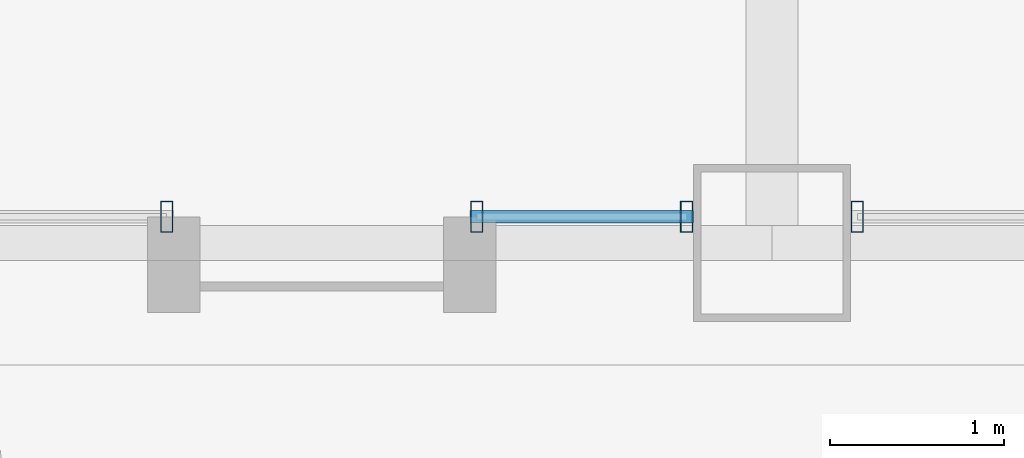
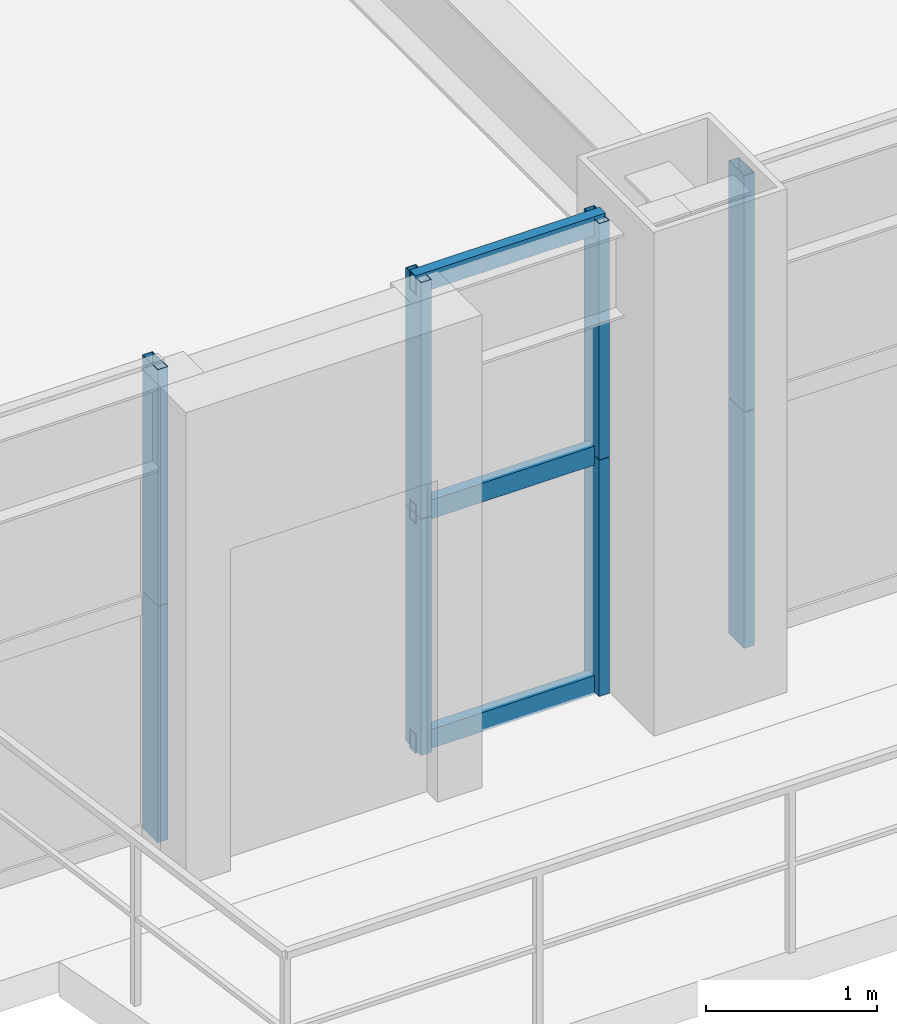
# One storey, part 9 of 43: 11 members, 3 elements without a shape of their own.
"""IFC4 building model written with IfcOpenShell, lengths in metres."""

from ifc_helpers import new_model, si_unit, direction, frame, origin, origin_2d, place, context, subcontext, project, spatial, hollow_rectangle, extrude, source, transform, mapped, material, layer, layer_set, material_profile, profile_set, type_object, element, aggregate, save


model = new_model("IFC4")

# Units and contexts
model_context = context("Model", 3, precision=1e-05, world=origin(), true_north=direction((0.0, 1.0)))
body_context = subcontext(model_context, "Body", "Model", "MODEL_VIEW")
ifc_project = project(units=[si_unit("LENGTHUNIT", "METRE"), si_unit("AREAUNIT", "SQUARE_METRE"), si_unit("VOLUMEUNIT", "CUBIC_METRE"), si_unit("PLANEANGLEUNIT", "RADIAN"), si_unit("MASSUNIT", "GRAM", prefix="KILO"), si_unit("THERMODYNAMICTEMPERATUREUNIT", "KELVIN"), si_unit("POWERUNIT", "WATT")], contexts=[model_context])

# Site, building, storey
site_placement = place(None, origin())
site = spatial("IfcSite", under=ifc_project, at=site_placement, CompositionType="ELEMENT")
building_placement = place(site_placement, origin())
building = spatial("IfcBuilding", under=site, at=building_placement, Name="Yuzanri Waterfront Tower", CompositionType="ELEMENT")
storey_placement = place(building_placement, frame((0.0, 0.0, 138.0)))
storey = spatial("IfcBuildingStorey", under=building, at=storey_placement, Name="L36", CompositionType="ELEMENT", Elevation=138.0)

# Curtain wall, members
ifc_material_1 = material(Name="Anodized Architectural Bronze", Category="metal")
ifc_layer = layer(ifc_material_1, 0.159912109375)
ifc_layer_set = layer_set([ifc_layer], Name="Anodized Architectural Bronze")
curtain_wall_type = type_object("IfcCurtainWallType", Name="Anodized Bronze Hotel Upper-Tier Solar-Control Unitized Curtain Wall 7800", PredefinedType="NOTDEFINED", material=ifc_layer_set)
curtain_wall_1_placement = place(storey_placement, origin())
curtain_wall_1 = element("IfcCurtainWall", 1, at=curtain_wall_1_placement, inside=storey, type_object=curtain_wall_type, Name="L36 Curtain Wall CW-L36-SL1", PredefinedType="NOTDEFINED")
ifc_material_2 = material(Name="Anodized Architectural Bronze", Category="metal")
ifc_material_profile_1 = material_profile(ifc_material_2, hollow_rectangle(XDim=0.070068359375, YDim=0.179931640625, WallThickness=0.00390625, at=origin_2d()), Name="CWM 70x180")
ifc_profile_set_1 = profile_set([ifc_material_profile_1], Name="Anodized Architectural Bronze")
member_type_1 = type_object("IfcMemberType", Name="Anodized Bronze Standard Curtain-Wall Mullion 70x180", PredefinedType="MULLION", material=ifc_profile_set_1)
shared_shape_1 = source(origin(), body_context, "Body", "SweptSolid", [
    extrude(hollow_rectangle(XDim=0.070068359375, YDim=0.179931640625, WallThickness=0.00390625, at=origin_2d()), origin(), (0.0, 0.0, 1.0), 1.68798828125),
])
member_1_placement = place(storey_placement, frame((33.52587890625, 2.35009765625, 0.0), z_axis=(0.0, 0.0, 1.0), x_axis=(1.0, 0.0, 0.0)))
member_1 = element("IfcMember", 2, at=member_1_placement, type_object=member_type_1, Name="CW-L36-SL1 Lower Mullion 02", PredefinedType="MULLION", context=body_context, shape_type="MappedRepresentation", body=[
    mapped(shared_shape_1, transform((0.0, 0.0, 0.0), scale=1.0)),
])
member_2_placement = place(storey_placement, frame((33.52587890625, 2.35009765625, 1.69189453125), z_axis=(0.0, 0.0, 1.0), x_axis=(1.0, 0.0, 0.0)))
member_2 = element("IfcMember", 3, at=member_2_placement, type_object=member_type_1, Name="CW-L36-SL1 Upper Mullion 02", PredefinedType="MULLION", context=body_context, shape_type="MappedRepresentation", body=[
    mapped(shared_shape_1, transform((0.0, 0.0, 0.0), scale=1.0)),
])
aggregate(curtain_wall_1, [member_1, member_2])

curtain_wall_2_placement = place(storey_placement, origin())
curtain_wall_2 = element("IfcCurtainWall", 4, at=curtain_wall_2_placement, inside=storey, type_object=curtain_wall_type, Name="L36 Curtain Wall CW-L36-SL2", PredefinedType="NOTDEFINED")
member_3_placement = place(storey_placement, frame((35.305908203125, 2.35009765625, 0.0), z_axis=(0.0, 0.0, 1.0), x_axis=(1.0, 0.0, 0.0)))
member_3 = element("IfcMember", 5, at=member_3_placement, type_object=member_type_1, Name="CW-L36-SL2 Lower Mullion 00", PredefinedType="MULLION", context=body_context, shape_type="MappedRepresentation", body=[
    mapped(shared_shape_1, transform((0.0, 0.0, 0.0), scale=1.0)),
])
member_4_placement = place(storey_placement, frame((35.305908203125, 2.35009765625, 1.69189453125), z_axis=(0.0, 0.0, 1.0), x_axis=(1.0, 0.0, 0.0)))
member_4 = element("IfcMember", 6, at=member_4_placement, type_object=member_type_1, Name="CW-L36-SL2 Upper Mullion 00", PredefinedType="MULLION", context=body_context, shape_type="MappedRepresentation", body=[
    mapped(shared_shape_1, transform((0.0, 0.0, 0.0), scale=1.0)),
])
member_5_placement = place(storey_placement, frame((36.510009765625, 2.35009765625, 0.0), z_axis=(0.0, 0.0, 1.0), x_axis=(1.0, 0.0, 0.0)))
member_5 = element("IfcMember", 7, at=member_5_placement, type_object=member_type_1, Name="CW-L36-SL2 Lower Mullion 01", PredefinedType="MULLION", context=body_context, shape_type="MappedRepresentation", body=[
    mapped(shared_shape_1, transform((0.0, 0.0, 0.0), scale=1.0)),
])
member_6_placement = place(storey_placement, frame((36.510009765625, 2.35009765625, 1.69189453125), z_axis=(0.0, 0.0, 1.0), x_axis=(1.0, 0.0, 0.0)))
member_6 = element("IfcMember", 8, at=member_6_placement, type_object=member_type_1, Name="CW-L36-SL2 Upper Mullion 01", PredefinedType="MULLION", context=body_context, shape_type="MappedRepresentation", body=[
    mapped(shared_shape_1, transform((0.0, 0.0, 0.0), scale=1.0)),
])

curtain_wall_3_placement = place(storey_placement, origin())
curtain_wall_3 = element("IfcCurtainWall", 9, at=curtain_wall_3_placement, inside=storey, type_object=curtain_wall_type, Name="L36 Curtain Wall CW-L36-SR", PredefinedType="NOTDEFINED")
member_7_placement = place(storey_placement, frame((37.489990234375, 2.35009765625, 0.0), z_axis=(0.0, 0.0, 1.0), x_axis=(1.0, 0.0, 0.0)))
member_7 = element("IfcMember", 10, at=member_7_placement, type_object=member_type_1, Name="CW-L36-SR Lower Mullion 00", PredefinedType="MULLION", context=body_context, shape_type="MappedRepresentation", body=[
    mapped(shared_shape_1, transform((0.0, 0.0, 0.0), scale=1.0)),
])
member_8_placement = place(storey_placement, frame((37.489990234375, 2.35009765625, 1.69189453125), z_axis=(0.0, 0.0, 1.0), x_axis=(1.0, 0.0, 0.0)))
member_8 = element("IfcMember", 11, at=member_8_placement, type_object=member_type_1, Name="CW-L36-SR Upper Mullion 00", PredefinedType="MULLION", context=body_context, shape_type="MappedRepresentation", body=[
    mapped(shared_shape_1, transform((0.0, 0.0, 0.0), scale=1.0)),
])
aggregate(curtain_wall_3, [member_7, member_8])

# Member
ifc_material_3 = material(Name="Anodized Architectural Bronze", Category="metal")
ifc_material_profile_2 = material_profile(ifc_material_3, hollow_rectangle(XDim=0.070068359375, YDim=0.135009765625, WallThickness=0.00341796875, at=origin_2d()), Name="CWT 70x135")
ifc_profile_set_2 = profile_set([ifc_material_profile_2], Name="Anodized Architectural Bronze")
member_type_2 = type_object("IfcMemberType", Name="Anodized Bronze Standard Curtain-Wall Transom 70x135", PredefinedType="USERDEFINED", material=ifc_profile_set_2)
shared_shape_2 = source(origin(), body_context, "Body", "SweptSolid", [
    extrude(hollow_rectangle(XDim=0.070068359375, YDim=0.135009765625, WallThickness=0.00341796875, at=origin_2d()), origin(), (0.0, 0.0, 1.0), 1.283935546875),
])
member_9_placement = place(storey_placement, frame((35.26611328125, 2.35009765625, 0.050048828125), z_axis=(1.0, 0.0, 0.0), x_axis=(0.0, 1.0, 0.0)))
member_9 = element("IfcMember", 12, at=member_9_placement, type_object=member_type_2, Name="CW-L36-SL2 Transom 1", ObjectType="TRANSOM", PredefinedType="USERDEFINED", context=body_context, shape_type="MappedRepresentation", body=[
    mapped(shared_shape_2, transform((0.0, 0.0, 0.0), scale=1.0)),
])

member_10_placement = place(storey_placement, frame((35.26611328125, 2.35009765625, 1.68994140625), z_axis=(1.0, 0.0, 0.0), x_axis=(0.0, 1.0, 0.0)))
member_10 = element("IfcMember", 13, at=member_10_placement, type_object=member_type_2, Name="CW-L36-SL2 Transom 2", ObjectType="TRANSOM", PredefinedType="USERDEFINED", context=body_context, shape_type="MappedRepresentation", body=[
    mapped(shared_shape_2, transform((0.0, 0.0, 0.0), scale=1.0)),
])

member_11_placement = place(storey_placement, frame((35.26611328125, 2.35009765625, 3.330078125), z_axis=(1.0, 0.0, 0.0), x_axis=(0.0, 1.0, 0.0)))
member_11 = element("IfcMember", 14, at=member_11_placement, type_object=member_type_2, Name="CW-L36-SL2 Transom 3", ObjectType="TRANSOM", PredefinedType="USERDEFINED", context=body_context, shape_type="MappedRepresentation", body=[
    mapped(shared_shape_2, transform((0.0, 0.0, 0.0), scale=1.0)),
])

aggregate(curtain_wall_2, [member_3, member_4, member_5, member_6, member_9, member_10, member_11])

save(model, "model.ifc")
